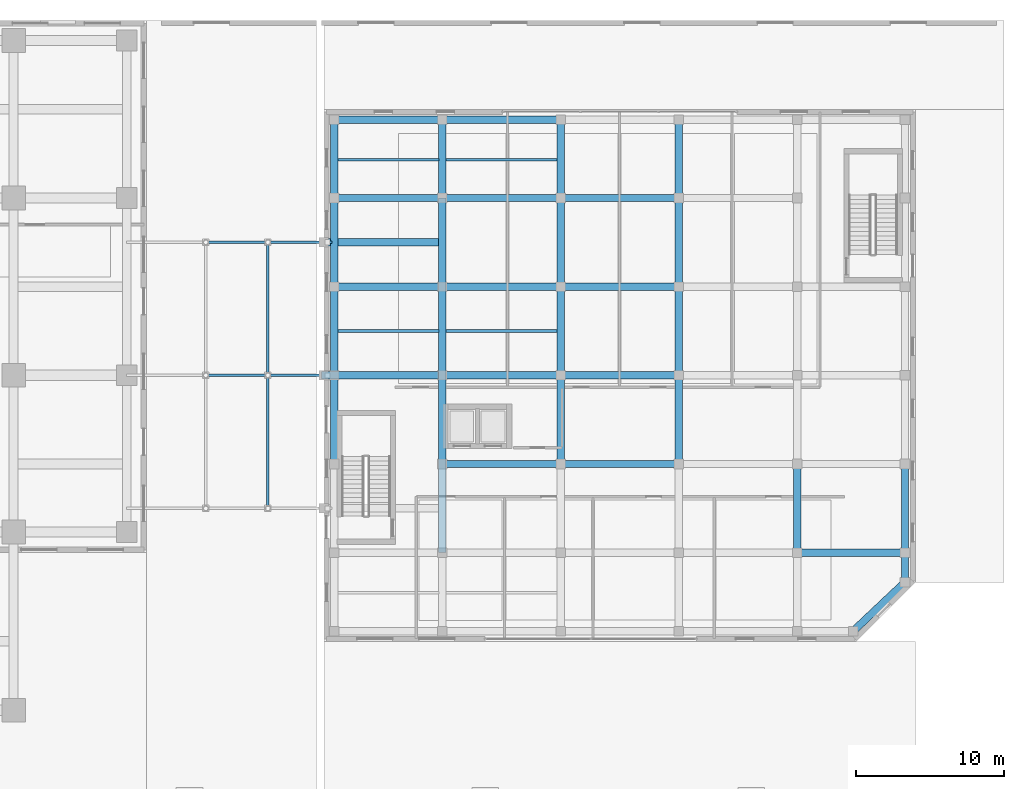
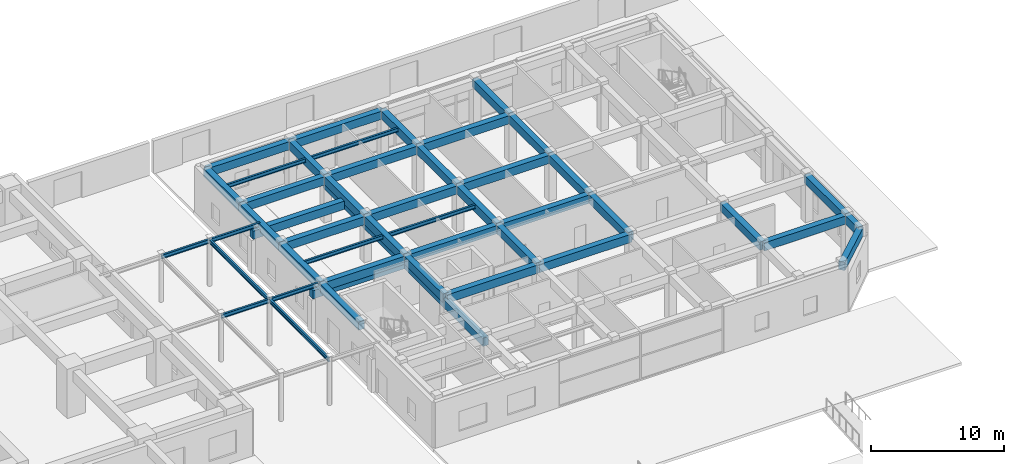
# One storey, part 15 of 39: 47 beams.
"""IFC4 building model written with IfcOpenShell, lengths in metres."""

from ifc_helpers import new_model, si_unit, direction, frame, origin, origin_2d, place, context, subcontext, project, spatial, rectangle, i_section, extrude, source, transform, mapped, material, material_profile, profile_set, type_object, element, save


model = new_model("IFC4")

# Units and contexts
model_context = context("Model", 3, precision=1e-05, world=origin(), true_north=direction((0.0, 1.0)))
body_context = subcontext(model_context, "Body", "Model", "MODEL_VIEW")
ifc_project = project(units=[si_unit("LENGTHUNIT", "METRE"), si_unit("AREAUNIT", "SQUARE_METRE"), si_unit("VOLUMEUNIT", "CUBIC_METRE"), si_unit("PLANEANGLEUNIT", "RADIAN"), si_unit("MASSUNIT", "GRAM", prefix="KILO")], contexts=[model_context])

# Site, building, storey
site_placement = place(None, origin())
site = spatial("IfcSite", under=ifc_project, at=site_placement, CompositionType="ELEMENT")
building_placement = place(site_placement, origin())
building = spatial("IfcBuilding", under=site, at=building_placement, Name="Khoralis Quay Care Tower", CompositionType="ELEMENT")
storey_placement = place(building_placement, origin())
storey = spatial("IfcBuildingStorey", under=building, at=storey_placement, Name="L00", CompositionType="ELEMENT", Elevation=0.0)

# Beams
ifc_material_1 = material(Name="Concrete C40/50", Category="concrete")
ifc_material_profile_1 = material_profile(ifc_material_1, rectangle(XDim=0.5, YDim=0.75, at=origin_2d()), Name="Concrete C40/50")
ifc_profile_set_1 = profile_set([ifc_material_profile_1], Name="Concrete C40/50")
beam_type_1 = type_object("IfcBeamType", Name="BM-RC500X750", PredefinedType="BEAM", material=ifc_profile_set_1)
shared_shape_1 = source(origin(), body_context, "Body", "SweptSolid", [
    extrude(rectangle(XDim=0.5, YDim=0.75, at=origin_2d()), origin(), (0.0, 0.0, 1.0), 7.923095703125),
])
for number, where, z_axis, x_axis, name in (
    (1, (67.824951171875, 24.0, 3.425048828125), (1.0, 0.0, 0.0), (0.0, 1.0, 0.0), "Movement Joint 800mm Concrete Bearing Seat Corbel 2"),
    (2, (67.824951171875, 33.0, 3.425048828125), (1.0, 0.0, 0.0), (0.0, 1.0, 0.0), "Movement Joint 800mm Concrete Bearing Seat Corbel 3"),
):
    element("IfcBeam", number, at=place(storey_placement, frame(where, z_axis=z_axis, x_axis=x_axis)), inside=storey, type_object=beam_type_1, Name=name, PredefinedType="BEAM", context=body_context, shape_type="MappedRepresentation", body=[
        mapped(shared_shape_1, transform((0.0, 0.0, 0.0), scale=1.0)),
    ])
ifc_material_2 = material(Name="Steel S355", Category="steel")
ifc_material_profile_2 = material_profile(ifc_material_2, i_section(OverallWidth=0.169921875, OverallDepth=0.360107421875, WebThickness=0.008056640625, FlangeThickness=0.0126953125, FilletRadius=0.01806640625, at=origin_2d()), Name="Steel S355")
ifc_profile_set_2 = profile_set([ifc_material_profile_2], Name="Steel S355")
beam_type_2 = type_object("IfcBeamType", Name="BM-IPE360", PredefinedType="SPANDREL", material=ifc_profile_set_2)
shared_shape_2 = source(origin(), body_context, "Body", "SweptSolid", [
    extrude(i_section(OverallWidth=0.169921875, OverallDepth=0.360107421875, WebThickness=0.008056640625, FlangeThickness=0.0126953125, FilletRadius=0.01806640625, at=origin_2d()), origin(), (0.0, 0.0, 1.0), 4.199951171875),
])
for number, where, z_axis, x_axis, name in (
    (3, (60.0, 24.0, 4.06005859375), (1.0, 0.0, 0.0), (0.0, 1.0, 0.0), "BM-L01-CAN-M2"),
    (4, (60.0, 33.0, 4.06005859375), (1.0, 0.0, 0.0), (0.0, 1.0, 0.0), "BM-L01-CAN-M3"),
):
    element("IfcBeam", number, at=place(storey_placement, frame(where, z_axis=z_axis, x_axis=x_axis)), inside=storey, type_object=beam_type_2, Name=name, PredefinedType="SPANDREL", context=body_context, shape_type="MappedRepresentation", body=[
        mapped(shared_shape_2, transform((0.0, 0.0, 0.0), scale=1.0)),
    ])
shared_shape_3 = source(origin(), body_context, "Body", "SweptSolid", [
    extrude(i_section(OverallWidth=0.169921875, OverallDepth=0.360107421875, WebThickness=0.008056640625, FlangeThickness=0.0126953125, FilletRadius=0.01806640625, at=origin_2d()), origin(), (0.0, 0.0, 1.0), 4.35009765625),
])
for number, where, z_axis, x_axis, name in (
    (5, (64.199951171875, 24.0, 4.06005859375), (1.0, 0.0, 0.0), (0.0, 1.0, 0.0), "BM-L01-CAN-J2"),
    (6, (64.199951171875, 33.0, 4.06005859375), (1.0, 0.0, 0.0), (0.0, 1.0, 0.0), "BM-L01-CAN-J3"),
):
    element("IfcBeam", number, at=place(storey_placement, frame(where, z_axis=z_axis, x_axis=x_axis)), inside=storey, type_object=beam_type_2, Name=name, PredefinedType="SPANDREL", context=body_context, shape_type="MappedRepresentation", body=[
        mapped(shared_shape_3, transform((0.0, 0.0, 0.0), scale=1.0)),
    ])
shared_shape_4 = source(origin(), body_context, "Body", "SweptSolid", [
    extrude(i_section(OverallWidth=0.169921875, OverallDepth=0.360107421875, WebThickness=0.008056640625, FlangeThickness=0.0126953125, FilletRadius=0.01806640625, at=origin_2d()), origin(), (0.0, 0.0, 1.0), 9.0),
])
for number, where, z_axis, x_axis, name in (
    (7, (64.199951171875, 15.0, 4.06005859375), (0.0, 1.0, 0.0), (-1.0, 0.0, 0.0), "BM-L01-CAN-TIE3"),
    (8, (64.199951171875, 24.0, 4.06005859375), (0.0, 1.0, 0.0), (-1.0, 0.0, 0.0), "BM-L01-CAN-TIE4"),
):
    element("IfcBeam", number, at=place(storey_placement, frame(where, z_axis=z_axis, x_axis=x_axis)), inside=storey, type_object=beam_type_2, Name=name, PredefinedType="SPANDREL", context=body_context, shape_type="MappedRepresentation", body=[
        mapped(shared_shape_4, transform((0.0, 0.0, 0.0), scale=1.0)),
    ])
shared_shape_5 = source(origin(), body_context, "Body", "SweptSolid", [
    extrude(rectangle(XDim=0.5, YDim=0.75, at=origin_2d()), origin(), (0.0, 0.0, 1.0), 24.0),
])
beam_1_placement = place(storey_placement, frame((76.0, 12.0, 3.425048828125), z_axis=(0.0, 1.0, 0.0), x_axis=(-1.0, 0.0, 0.0)))
element("IfcBeam", 9, at=beam_1_placement, inside=storey, type_object=beam_type_1, Name="School Inner Movement Joint Corbel Tie Beam", PredefinedType="BEAM", context=body_context, shape_type="MappedRepresentation", body=[
    mapped(shared_shape_5, transform((0.0, 0.0, 0.0), scale=1.0)),
])
shared_shape_6 = source(origin(), body_context, "Body", "SweptSolid", [
    extrude(rectangle(XDim=0.5, YDim=0.75, at=origin_2d()), origin(), (0.0, 0.0, 1.0), 7.300048828125),
])
for number, where, z_axis, x_axis, name in (
    (10, (100.0, 12.0, 3.824951171875), (1.0, 0.0, 0.0), (0.0, 1.0, 0.0), "BM-SCX-L00-09"),
    (11, (68.699951171875, 24.0, 3.824951171875), (1.0, 0.0, 0.0), (0.0, 1.0, 0.0), "BM-SCX-L00-14"),
    (12, (68.699951171875, 30.0, 3.824951171875), (1.0, 0.0, 0.0), (0.0, 1.0, 0.0), "BM-SCX-L00-19"),
    (13, (68.699951171875, 36.0, 3.824951171875), (1.0, 0.0, 0.0), (0.0, 1.0, 0.0), "BM-SCX-L00-24"),
    (14, (68.699951171875, 41.300048828125, 3.824951171875), (1.0, 0.0, 0.0), (0.0, 1.0, 0.0), "BM-SCX-L00-28"),
):
    element("IfcBeam", number, at=place(storey_placement, frame(where, z_axis=z_axis, x_axis=x_axis)), inside=storey, type_object=beam_type_1, Name=name, PredefinedType="BEAM", context=body_context, shape_type="MappedRepresentation", body=[
        mapped(shared_shape_6, transform((0.0, 0.0, 0.0), scale=1.0)),
    ])
shared_shape_7 = source(origin(), body_context, "Body", "SweptSolid", [
    extrude(rectangle(XDim=0.5, YDim=0.75, at=origin_2d()), origin(), (0.0, 0.0, 1.0), 8.0),
])
for number, where, z_axis, x_axis, name in (
    (15, (76.0, 18.0, 3.824951171875), (1.0, 0.0, 0.0), (0.0, 1.0, 0.0), "BM-SCX-L00-10"),
    (16, (84.0, 18.0, 3.824951171875), (1.0, 0.0, 0.0), (0.0, 1.0, 0.0), "BM-SCX-L00-11"),
    (17, (76.0, 24.0, 3.824951171875), (1.0, 0.0, 0.0), (0.0, 1.0, 0.0), "BM-SCX-L00-15"),
    (18, (84.0, 24.0, 3.824951171875), (1.0, 0.0, 0.0), (0.0, 1.0, 0.0), "BM-SCX-L00-16"),
    (19, (76.0, 30.0, 3.824951171875), (1.0, 0.0, 0.0), (0.0, 1.0, 0.0), "BM-SCX-L00-20"),
    (20, (84.0, 30.0, 3.824951171875), (1.0, 0.0, 0.0), (0.0, 1.0, 0.0), "BM-SCX-L00-21"),
    (21, (76.0, 36.0, 3.824951171875), (1.0, 0.0, 0.0), (0.0, 1.0, 0.0), "BM-SCX-L00-25"),
    (22, (84.0, 36.0, 3.824951171875), (1.0, 0.0, 0.0), (0.0, 1.0, 0.0), "BM-SCX-L00-26"),
    (23, (76.0, 41.300048828125, 3.824951171875), (1.0, 0.0, 0.0), (0.0, 1.0, 0.0), "BM-SCX-L00-29"),
):
    element("IfcBeam", number, at=place(storey_placement, frame(where, z_axis=z_axis, x_axis=x_axis)), inside=storey, type_object=beam_type_1, Name=name, PredefinedType="BEAM", context=body_context, shape_type="MappedRepresentation", body=[
        mapped(shared_shape_7, transform((0.0, 0.0, 0.0), scale=1.0)),
    ])
shared_shape_8 = source(origin(), body_context, "Body", "SweptSolid", [
    extrude(rectangle(XDim=0.5, YDim=0.75, at=origin_2d()), origin(), (0.0, 0.0, 1.0), 5.300048828125),
])
for number, where, z_axis, x_axis, name in (
    (24, (68.699951171875, 36.0, 3.824951171875), (0.0, 1.0, 0.0), (-1.0, 0.0, 0.0), "BM-SCY-L00-38"),
    (25, (76.0, 36.0, 3.824951171875), (0.0, 1.0, 0.0), (-1.0, 0.0, 0.0), "BM-SCY-L00-44"),
    (26, (84.0, 36.0, 3.824951171875), (0.0, 1.0, 0.0), (-1.0, 0.0, 0.0), "BM-SCY-L00-50"),
    (27, (92.0, 36.0, 3.824951171875), (0.0, 1.0, 0.0), (-1.0, 0.0, 0.0), "BM-SCY-L00-56"),
):
    element("IfcBeam", number, at=place(storey_placement, frame(where, z_axis=z_axis, x_axis=x_axis)), inside=storey, type_object=beam_type_1, Name=name, PredefinedType="BEAM", context=body_context, shape_type="MappedRepresentation", body=[
        mapped(shared_shape_8, transform((0.0, 0.0, 0.0), scale=1.0)),
    ])
shared_shape_9 = source(origin(), body_context, "Body", "SweptSolid", [
    extrude(rectangle(XDim=0.5, YDim=0.75, at=origin_2d()), origin(), (0.0, 0.0, 1.0), 6.0),
])
for number, where, z_axis, x_axis, name in (
    (28, (68.699951171875, 18.0, 3.824951171875), (0.0, 1.0, 0.0), (-1.0, 0.0, 0.0), "BM-SCY-L00-35"),
    (29, (68.699951171875, 24.0, 3.824951171875), (0.0, 1.0, 0.0), (-1.0, 0.0, 0.0), "BM-SCY-L00-36"),
    (30, (68.699951171875, 30.0, 3.824951171875), (0.0, 1.0, 0.0), (-1.0, 0.0, 0.0), "BM-SCY-L00-37"),
    (31, (76.0, 18.0, 3.824951171875), (0.0, 1.0, 0.0), (-1.0, 0.0, 0.0), "BM-SCY-L00-41"),
    (32, (76.0, 24.0, 3.824951171875), (0.0, 1.0, 0.0), (-1.0, 0.0, 0.0), "BM-SCY-L00-42"),
    (33, (76.0, 30.0, 3.824951171875), (0.0, 1.0, 0.0), (-1.0, 0.0, 0.0), "BM-SCY-L00-43"),
    (34, (84.0, 18.0, 3.824951171875), (0.0, 1.0, 0.0), (-1.0, 0.0, 0.0), "BM-SCY-L00-47"),
    (35, (84.0, 24.0, 3.824951171875), (0.0, 1.0, 0.0), (-1.0, 0.0, 0.0), "BM-SCY-L00-48"),
    (36, (84.0, 30.0, 3.824951171875), (0.0, 1.0, 0.0), (-1.0, 0.0, 0.0), "BM-SCY-L00-49"),
    (37, (92.0, 18.0, 3.824951171875), (0.0, 1.0, 0.0), (-1.0, 0.0, 0.0), "BM-SCY-L00-53"),
    (38, (92.0, 24.0, 3.824951171875), (0.0, 1.0, 0.0), (-1.0, 0.0, 0.0), "BM-SCY-L00-54"),
    (39, (92.0, 30.0, 3.824951171875), (0.0, 1.0, 0.0), (-1.0, 0.0, 0.0), "BM-SCY-L00-55"),
    (40, (100.0, 12.0, 3.824951171875), (0.0, 1.0, 0.0), (-1.0, 0.0, 0.0), "BM-SCY-L00-58"),
    (41, (107.300048828125, 12.0, 3.824951171875), (0.0, 1.0, 0.0), (-1.0, 0.0, 0.0), "BM-SCY-L00-63"),
):
    element("IfcBeam", number, at=place(storey_placement, frame(where, z_axis=z_axis, x_axis=x_axis)), inside=storey, type_object=beam_type_1, Name=name, PredefinedType="BEAM", context=body_context, shape_type="MappedRepresentation", body=[
        mapped(shared_shape_9, transform((0.0, 0.0, 0.0), scale=1.0)),
    ])
shared_shape_10 = source(origin(), body_context, "Body", "SweptSolid", [
    extrude(rectangle(XDim=0.5, YDim=0.75, at=origin_2d()), origin(), (0.0, 0.0, 1.0), 4.810546875),
])
beam_2_placement = place(storey_placement, frame((103.800048828125, 6.699951171875, 3.824951171875), z_axis=(0.727584339713, 0.686018242181, 0.0), x_axis=(-0.686018242181, 0.727584339713, 0.0)))
element("IfcBeam", 42, at=beam_2_placement, inside=storey, type_object=beam_type_1, Name="BM-SCCH-L00-2", PredefinedType="BEAM", context=body_context, shape_type="MappedRepresentation", body=[
    mapped(shared_shape_10, transform((0.0, 0.0, 0.0), scale=1.0)),
])
shared_shape_11 = source(origin(), body_context, "Body", "SweptSolid", [
    extrude(rectangle(XDim=0.5, YDim=0.75, at=origin_2d()), origin(), (0.0, 0.0, 1.0), 2.0),
])
beam_3_placement = place(storey_placement, frame((107.300048828125, 10.0, 3.824951171875), z_axis=(0.0, 1.0, 0.0), x_axis=(-1.0, 0.0, 0.0)))
element("IfcBeam", 43, at=beam_3_placement, inside=storey, type_object=beam_type_1, Name="BM-SCCH-L00-3", PredefinedType="BEAM", context=body_context, shape_type="MappedRepresentation", body=[
    mapped(shared_shape_11, transform((0.0, 0.0, 0.0), scale=1.0)),
])
ifc_material_profile_3 = material_profile(ifc_material_2, i_section(OverallWidth=0.1708984375, OverallDepth=0.35498046875, WebThickness=0.007080078125, FlangeThickness=0.01171875, FilletRadius=0.012939453125, at=origin_2d()), Name="Steel S355")
ifc_profile_set_3 = profile_set([ifc_material_profile_3], Name="Steel S355")
beam_type_3 = type_object("IfcBeamType", Name="BM-W360X51", PredefinedType="JOIST", material=ifc_profile_set_3)
shared_shape_12 = source(origin(), body_context, "Body", "SweptSolid", [
    extrude(i_section(OverallWidth=0.1708984375, OverallDepth=0.35498046875, WebThickness=0.007080078125, FlangeThickness=0.01171875, FilletRadius=0.012939453125, at=origin_2d()), origin(), (0.0, 0.0, 1.0), 6.823974609375),
])
for number, where, z_axis, x_axis, name in (
    (44, (68.93798828125, 27.0, 4.0224609375), (1.0, 0.0, 0.0), (0.0, 1.0, 0.0), "BM-SCJ-L00-70"),
    (45, (68.93798828125, 38.60009765625, 4.0224609375), (1.0, 0.0, 0.0), (0.0, 1.0, 0.0), "BM-SCJ-L00-72"),
):
    element("IfcBeam", number, at=place(storey_placement, frame(where, z_axis=z_axis, x_axis=x_axis)), inside=storey, type_object=beam_type_3, Name=name, PredefinedType="JOIST", context=body_context, shape_type="MappedRepresentation", body=[
        mapped(shared_shape_12, transform((0.0, 0.0, 0.0), scale=1.0)),
    ])
shared_shape_13 = source(origin(), body_context, "Body", "SweptSolid", [
    extrude(i_section(OverallWidth=0.1708984375, OverallDepth=0.35498046875, WebThickness=0.007080078125, FlangeThickness=0.01171875, FilletRadius=0.012939453125, at=origin_2d()), origin(), (0.0, 0.0, 1.0), 7.52392578125),
])
for number, where, z_axis, x_axis, name in (
    (46, (76.238037109375, 27.0, 4.0224609375), (1.0, 0.0, 0.0), (0.0, 1.0, 0.0), "BM-SCJ-L00-71"),
    (47, (76.238037109375, 38.60009765625, 4.0224609375), (1.0, 0.0, 0.0), (0.0, 1.0, 0.0), "BM-SCJ-L00-73"),
):
    element("IfcBeam", number, at=place(storey_placement, frame(where, z_axis=z_axis, x_axis=x_axis)), inside=storey, type_object=beam_type_3, Name=name, PredefinedType="JOIST", context=body_context, shape_type="MappedRepresentation", body=[
        mapped(shared_shape_13, transform((0.0, 0.0, 0.0), scale=1.0)),
    ])

save(model, "model.ifc")
